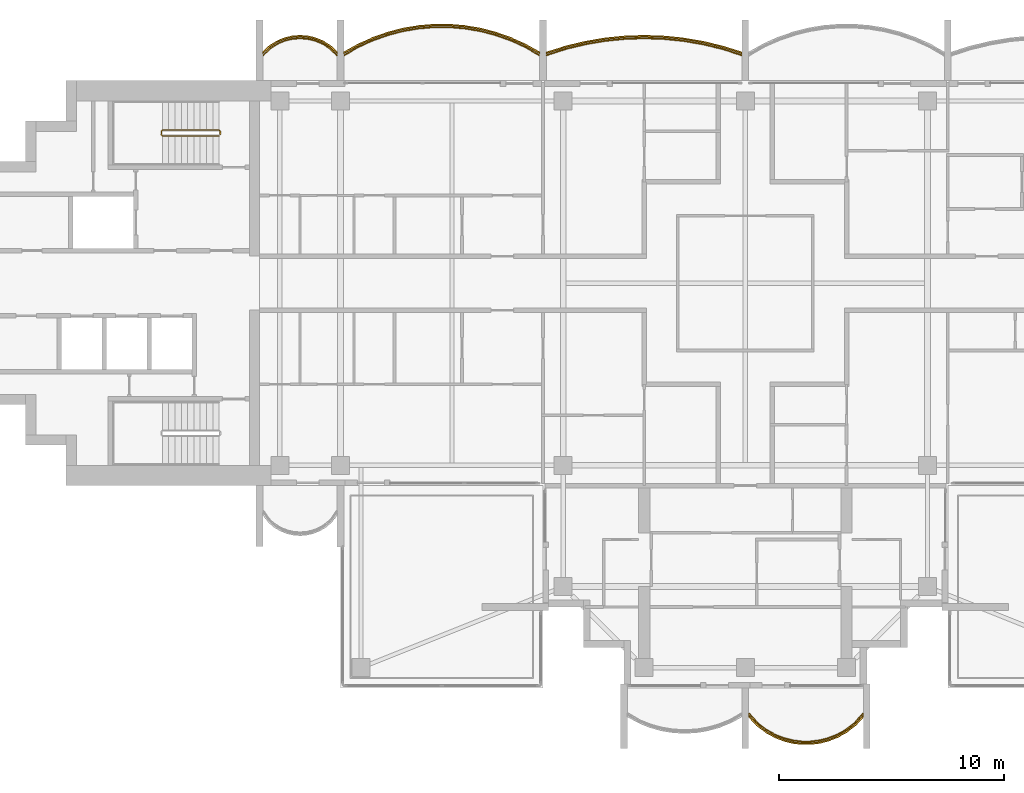
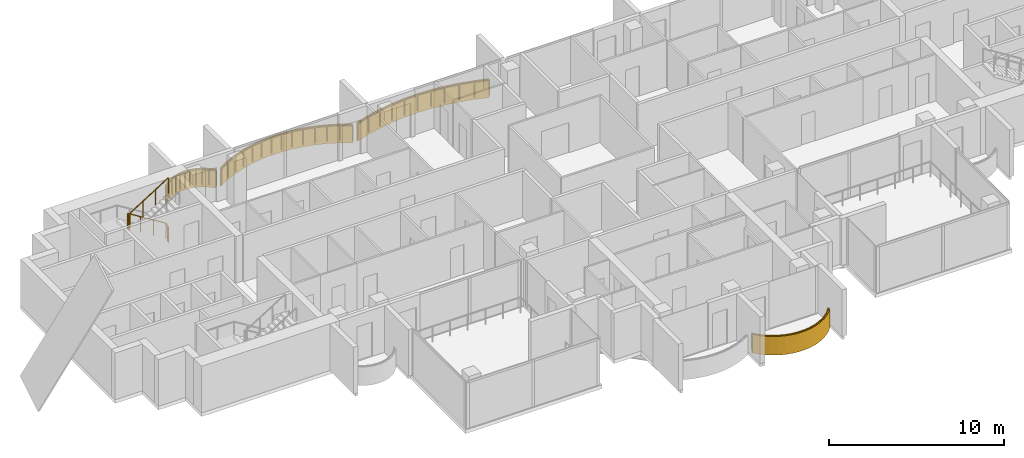
# One storey, part 15 of 17: 5 railings, 4 coverings.
"""IFC4 building model written with IfcOpenShell, lengths in metres."""

from ifc_helpers import new_model, si_unit, direction, frame, origin, origin_2d, place, context, subcontext, project, spatial, polyline, rectangle, outline, extrude, material, layer, layer_set, type_object, element, save


model = new_model("IFC4")

# Units and contexts
model_context = context("Model", 3, precision=1e-05, world=origin(), true_north=direction((0.0, 1.0)))
body_context = subcontext(model_context, "Body", "Model", "MODEL_VIEW")
ifc_project = project(units=[si_unit("LENGTHUNIT", "METRE"), si_unit("AREAUNIT", "SQUARE_METRE"), si_unit("VOLUMEUNIT", "CUBIC_METRE"), si_unit("PLANEANGLEUNIT", "RADIAN"), si_unit("MASSUNIT", "GRAM", prefix="KILO")], contexts=[model_context])

# Site, building, storey
site_placement = place(None, origin())
site = spatial("IfcSite", under=ifc_project, at=site_placement, CompositionType="ELEMENT")
building_placement = place(site_placement, origin())
building = spatial("IfcBuilding", under=site, at=building_placement, Name="Perihelion Cross Residences", CompositionType="ELEMENT")
storey_placement = place(building_placement, frame((0.0, 0.0, 278.0)))
storey = spatial("IfcBuildingStorey", under=building, at=storey_placement, Name="L71", CompositionType="ELEMENT", Elevation=278.0)

# Coverings
ifc_material_1 = material(Name="Bronze anodised aluminium", Category="aluminium")
ifc_layer = layer(ifc_material_1, 0.070068359375)
ifc_layer_set = layer_set([ifc_layer], Name="Balcony fascia 1300")
covering_type = type_object("IfcCoveringType", Name="Balcony fascia 1300", PredefinedType="CLADDING", material=ifc_layer_set)
covering_1_placement = place(storey_placement, frame((0.0, 0.0, -0.199951171875)))
element("IfcCovering", 1, at=covering_1_placement, inside=storey, type_object=covering_type, Name="Fascia BF1 L71 north side east bay 2", PredefinedType="CLADDING", context=body_context, shape_type="SweptSolid", body=[
    extrude(outline(polyline([(-1.001220703125, 10.542724609375), (-1.8759765625, 10.753662109375), (-2.750732421875, 10.90234375), (-3.625244140625, 10.99072265625), (-4.5, 11.02001953125), (-5.374755859375, 10.99072265625), (-6.249267578125, 10.90234375), (-7.1240234375, 10.753662109375), (-7.998779296875, 10.542724609375), (-8.85009765625, 10.2734375), (-8.85009765625, 10.199951171875), (-7.97998046875, 10.47509765625), (-7.110107421875, 10.68505859375), (-6.239990234375, 10.8330078125), (-5.3701171875, 10.9208984375), (-4.5, 10.949951171875), (-3.6298828125, 10.9208984375), (-2.760009765625, 10.8330078125), (-1.889892578125, 10.68505859375), (-1.02001953125, 10.47509765625), (-0.14990234375, 10.199951171875), (-0.14990234375, 10.2734375), (-1.001220703125, 10.542724609375)])), origin(), (0.0, 0.0, 1.0), 1.300048828125),
])
covering_2_placement = place(storey_placement, frame((0.0, 0.0, -0.199951171875)))
element("IfcCovering", 2, at=covering_2_placement, inside=storey, type_object=covering_type, Name="Fascia BF1 L71 west side north bay 1", PredefinedType="CLADDING", context=body_context, shape_type="SweptSolid", body=[
    extrude(outline(polyline([(-9.787841796875, 10.63916015625), (-10.462646484375, 10.941650390625), (-11.1376953125, 11.175048828125), (-11.8125, 11.345947265625), (-12.487548828125, 11.457763671875), (-13.16259765625, 11.51318359375), (-13.83740234375, 11.51318359375), (-14.512451171875, 11.457763671875), (-15.1875, 11.345947265625), (-15.8623046875, 11.175048828125), (-16.537353515625, 10.941650390625), (-17.212158203125, 10.63916015625), (-17.85009765625, 10.2802734375), (-17.85009765625, 10.199951171875), (-17.1806640625, 10.57666015625), (-16.511474609375, 10.87646484375), (-15.84228515625, 11.108154296875), (-15.173095703125, 11.27734375), (-14.50390625, 11.38818359375), (-13.834716796875, 11.443115234375), (-13.165283203125, 11.443115234375), (-12.49609375, 11.38818359375), (-11.826904296875, 11.27734375), (-11.15771484375, 11.108154296875), (-10.488525390625, 10.87646484375), (-9.8193359375, 10.57666015625), (-9.14990234375, 10.199951171875), (-9.14990234375, 10.2802734375), (-9.787841796875, 10.63916015625)])), origin(), (0.0, 0.0, 1.0), 1.300048828125),
])
covering_3_placement = place(storey_placement, frame((0.0, 0.0, -0.199951171875)))
element("IfcCovering", 3, at=covering_3_placement, inside=storey, type_object=covering_type, Name="Fascia BF1 L71 west side north bay 2", PredefinedType="CLADDING", context=body_context, shape_type="SweptSolid", body=[
    extrude(outline(polyline([(-18.4375, 10.56298828125), (-18.778076171875, 10.77587890625), (-19.11865234375, 10.914794921875), (-19.45947265625, 10.994140625), (-19.800048828125, 11.02001953125), (-20.140625, 10.994140625), (-20.481201171875, 10.914794921875), (-20.82177734375, 10.77587890625), (-21.16259765625, 10.56298828125), (-21.449951171875, 10.295654296875), (-21.449951171875, 10.199951171875), (-21.1201171875, 10.507568359375), (-20.7900390625, 10.71337890625), (-20.4599609375, 10.84814453125), (-20.1298828125, 10.925048828125), (-19.800048828125, 10.949951171875), (-19.469970703125, 10.925048828125), (-19.139892578125, 10.84814453125), (-18.81005859375, 10.71337890625), (-18.47998046875, 10.507568359375), (-18.14990234375, 10.199951171875), (-18.14990234375, 10.295654296875), (-18.4375, 10.56298828125)])), origin(), (0.0, 0.0, 1.0), 1.300048828125),
])
covering_4_placement = place(storey_placement, frame((0.0, 0.0, -0.199951171875)))
element("IfcCovering", 4, at=covering_4_placement, inside=storey, type_object=covering_type, Name="Fascia BF1 L71 south tip south bay 2", PredefinedType="CLADDING", context=body_context, shape_type="SweptSolid", body=[
    extrude(outline(polyline([(0.4951171875, -19.674072265625), (0.89599609375, -19.982666015625), (1.296875, -20.20654296875), (1.69775390625, -20.364013671875), (2.0986328125, -20.464599609375), (2.49951171875, -20.513916015625), (2.900390625, -20.513916015625), (3.30126953125, -20.464599609375), (3.7021484375, -20.364013671875), (4.10302734375, -20.20654296875), (4.50390625, -19.982666015625), (4.90478515625, -19.674072265625), (5.25, -19.302734375), (5.25, -19.199951171875), (4.857666015625, -19.622314453125), (4.46533203125, -19.924072265625), (4.072998046875, -20.143310546875), (3.6806640625, -20.29736328125), (3.28857421875, -20.39599609375), (2.896240234375, -20.444091796875), (2.50390625, -20.444091796875), (2.111572265625, -20.39599609375), (1.71923828125, -20.29736328125), (1.326904296875, -20.143310546875), (0.9345703125, -19.924072265625), (0.542236328125, -19.622314453125), (0.14990234375, -19.199951171875), (0.14990234375, -19.302734375), (0.4951171875, -19.674072265625)])), origin(), (0.0, 0.0, 1.0), 1.300048828125),
])

# Railings
ifc_material_2 = material(Name="Bronze anodised aluminium", Category="aluminium")
railing_type_1 = type_object("IfcRailingType", Name="Balcony guard 1100", PredefinedType="GUARDRAIL", material=ifc_material_2)
railing_1_placement = place(storey_placement, frame((-0.175048828125, 10.139892578125, 0.0)))
element("IfcRailing", 5, at=railing_1_placement, inside=storey, type_object=railing_type_1, Name="Guard GU1 L71 north side east bay 2 balcony", PredefinedType="GUARDRAIL", context=body_context, shape_type="SweptSolid", body=[
    extrude(rectangle(XDim=0.048095703125, YDim=0.048095703125, at=origin_2d()), frame((0.0, 0.0, 1.076171875), z_axis=(-0.950777354264, 0.30987484993, 0.0), x_axis=(-0.30987484993, -0.950777354264, 0.0)), (0.0, 0.0, 1.0), 0.888671875),
    extrude(rectangle(XDim=0.048095703125, YDim=0.048095703125, at=origin_2d()), frame((-0.844970703125, 0.275390625, 1.076171875), z_axis=(-0.972146551129, 0.234373810671, 0.0), x_axis=(-0.234373810671, -0.972146551129, 0.0)), (0.0, 0.0, 1.0), 0.894775390625),
    extrude(rectangle(XDim=0.048095703125, YDim=0.048095703125, at=origin_2d()), frame((-1.71484375, 0.485107421875, 1.076171875), z_axis=(-0.985850361727, 0.167627755108, 0.0), x_axis=(-0.167627755108, -0.985850361727, 0.0)), (0.0, 0.0, 1.0), 0.882568359375),
    extrude(rectangle(XDim=0.048095703125, YDim=0.048095703125, at=origin_2d()), frame((-2.5849609375, 0.633056640625, 1.076171875), z_axis=(-0.994934368303, 0.100526627165, 0.0), x_axis=(-0.100526627165, -0.994934368303, 0.0)), (0.0, 0.0, 1.0), 0.874267578125),
    extrude(rectangle(XDim=0.048095703125, YDim=0.048095703125, at=origin_2d()), frame((-3.454833984375, 0.720947265625, 1.076171875), z_axis=(-0.999443037968, 0.0333708534, 0.0), x_axis=(-0.0333708534, -0.999443037968, 0.0)), (0.0, 0.0, 1.0), 0.87060546875),
    extrude(rectangle(XDim=0.048095703125, YDim=0.048095703125, at=origin_2d()), frame((-4.324951171875, 0.75, 1.076171875), z_axis=(-0.999443037968, -0.0333708534, 0.0), x_axis=(0.0333708534, -0.999443037968, 0.0)), (0.0, 0.0, 1.0), 0.87060546875),
    extrude(rectangle(XDim=0.048095703125, YDim=0.048095703125, at=origin_2d()), frame((-5.195068359375, 0.720947265625, 1.076171875), z_axis=(-0.994934368303, -0.100526627165, 0.0), x_axis=(0.100526627165, -0.994934368303, 0.0)), (0.0, 0.0, 1.0), 0.874267578125),
    extrude(rectangle(XDim=0.048095703125, YDim=0.048095703125, at=origin_2d()), frame((-6.06494140625, 0.633056640625, 1.076171875), z_axis=(-0.985850361727, -0.167627755108, 0.0), x_axis=(0.167627755108, -0.985850361727, 0.0)), (0.0, 0.0, 1.0), 0.882568359375),
    extrude(rectangle(XDim=0.048095703125, YDim=0.048095703125, at=origin_2d()), frame((-6.93505859375, 0.485107421875, 1.076171875), z_axis=(-0.972146551129, -0.234373810671, 0.0), x_axis=(0.234373810671, -0.972146551129, 0.0)), (0.0, 0.0, 1.0), 0.894775390625),
    extrude(rectangle(XDim=0.048095703125, YDim=0.048095703125, at=origin_2d()), frame((-7.804931640625, 0.275390625, 1.076171875), z_axis=(-0.950777354264, -0.30987484993, 0.0), x_axis=(0.30987484993, -0.950777354264, 0.0)), (0.0, 0.0, 1.0), 0.888671875),
    extrude(rectangle(XDim=0.0419921875, YDim=0.0419921875, at=origin_2d()), origin(), (0.0, 0.0, 1.0), 1.052001953125),
    extrude(rectangle(XDim=0.0419921875, YDim=0.0419921875, at=origin_2d()), frame((-0.844970703125, 0.275390625, 0.0)), (0.0, 0.0, 1.0), 1.052001953125),
    extrude(rectangle(XDim=0.0419921875, YDim=0.0419921875, at=origin_2d()), frame((-1.71484375, 0.485107421875, 0.0)), (0.0, 0.0, 1.0), 1.052001953125),
    extrude(rectangle(XDim=0.0419921875, YDim=0.0419921875, at=origin_2d()), frame((-2.5849609375, 0.633056640625, 0.0)), (0.0, 0.0, 1.0), 1.052001953125),
    extrude(rectangle(XDim=0.0419921875, YDim=0.0419921875, at=origin_2d()), frame((-3.454833984375, 0.720947265625, 0.0)), (0.0, 0.0, 1.0), 1.052001953125),
    extrude(rectangle(XDim=0.0419921875, YDim=0.0419921875, at=origin_2d()), frame((-4.324951171875, 0.75, 0.0)), (0.0, 0.0, 1.0), 1.052001953125),
    extrude(rectangle(XDim=0.0419921875, YDim=0.0419921875, at=origin_2d()), frame((-5.195068359375, 0.720947265625, 0.0)), (0.0, 0.0, 1.0), 1.052001953125),
    extrude(rectangle(XDim=0.0419921875, YDim=0.0419921875, at=origin_2d()), frame((-6.06494140625, 0.633056640625, 0.0)), (0.0, 0.0, 1.0), 1.052001953125),
    extrude(rectangle(XDim=0.0419921875, YDim=0.0419921875, at=origin_2d()), frame((-6.93505859375, 0.485107421875, 0.0)), (0.0, 0.0, 1.0), 1.052001953125),
    extrude(rectangle(XDim=0.0419921875, YDim=0.0419921875, at=origin_2d()), frame((-7.804931640625, 0.275390625, 0.0)), (0.0, 0.0, 1.0), 1.052001953125),
    extrude(rectangle(XDim=0.0419921875, YDim=0.0419921875, at=origin_2d()), frame((-8.64990234375, 0.0, 0.0)), (0.0, 0.0, 1.0), 1.052001953125),
])
railing_2_placement = place(storey_placement, frame((-9.175048828125, 10.139892578125, 0.0)))
element("IfcRailing", 6, at=railing_2_placement, inside=storey, type_object=railing_type_1, Name="Guard GU1 L71 west side north bay 1 balcony", PredefinedType="GUARDRAIL", context=body_context, shape_type="SweptSolid", body=[
    extrude(rectangle(XDim=0.048095703125, YDim=0.048095703125, at=origin_2d()), frame((0.0, 0.0, 1.076171875), z_axis=(-0.863125740505, 0.504989065305, 0.0), x_axis=(-0.504989065305, -0.863125740505, 0.0)), (0.0, 0.0, 1.0), 0.746337890625),
    extrude(rectangle(XDim=0.048095703125, YDim=0.048095703125, at=origin_2d()), frame((-0.644287109375, 0.376953125, 1.076171875), z_axis=(-0.912723499295, 0.408577794103, 0.0), x_axis=(-0.408577794103, -0.912723499295, 0.0)), (0.0, 0.0, 1.0), 0.733154296875),
    extrude(rectangle(XDim=0.048095703125, YDim=0.048095703125, at=origin_2d()), frame((-1.3134765625, 0.676513671875, 1.076171875), z_axis=(-0.944965577734, 0.327169767701, 0.0), x_axis=(-0.327169767701, -0.944965577734, 0.0)), (0.0, 0.0, 1.0), 0.708251953125),
    extrude(rectangle(XDim=0.048095703125, YDim=0.048095703125, at=origin_2d()), frame((-1.982666015625, 0.908203125, 1.076171875), z_axis=(-0.96949408574, 0.245114703181, 0.0), x_axis=(-0.245114703181, -0.96949408574, 0.0)), (0.0, 0.0, 1.0), 0.690185546875),
    extrude(rectangle(XDim=0.048095703125, YDim=0.048095703125, at=origin_2d()), frame((-2.65185546875, 1.077392578125, 1.076171875), z_axis=(-0.986500713816, 0.163756959061, 0.0), x_axis=(-0.163756959061, -0.986500713816, 0.0)), (0.0, 0.0, 1.0), 0.678466796875),
    extrude(rectangle(XDim=0.048095703125, YDim=0.048095703125, at=origin_2d()), frame((-3.321044921875, 1.1884765625, 1.076171875), z_axis=(-0.996677390684, 0.081450468994, 0.0), x_axis=(-0.081450468994, -0.996677390684, 0.0)), (0.0, 0.0, 1.0), 0.67138671875),
    extrude(rectangle(XDim=0.048095703125, YDim=0.048095703125, at=origin_2d()), frame((-3.990234375, 1.2431640625, 1.076171875), z_axis=(-1.0, 0.0, 0.0), x_axis=(0.0, -1.0, 0.0)), (0.0, 0.0, 1.0), 0.66943359375),
    extrude(rectangle(XDim=0.048095703125, YDim=0.048095703125, at=origin_2d()), frame((-4.65966796875, 1.2431640625, 1.076171875), z_axis=(-0.996677390684, -0.081450468994, 0.0), x_axis=(0.081450468994, -0.996677390684, 0.0)), (0.0, 0.0, 1.0), 0.67138671875),
    extrude(rectangle(XDim=0.048095703125, YDim=0.048095703125, at=origin_2d()), frame((-5.328857421875, 1.1884765625, 1.076171875), z_axis=(-0.986500713816, -0.163756959061, 0.0), x_axis=(0.163756959061, -0.986500713816, 0.0)), (0.0, 0.0, 1.0), 0.678466796875),
    extrude(rectangle(XDim=0.048095703125, YDim=0.048095703125, at=origin_2d()), frame((-5.998046875, 1.077392578125, 1.076171875), z_axis=(-0.96949408574, -0.245114703181, 0.0), x_axis=(0.245114703181, -0.96949408574, 0.0)), (0.0, 0.0, 1.0), 0.690185546875),
    extrude(rectangle(XDim=0.048095703125, YDim=0.048095703125, at=origin_2d()), frame((-6.667236328125, 0.908203125, 1.076171875), z_axis=(-0.944965577734, -0.327169767701, 0.0), x_axis=(0.327169767701, -0.944965577734, 0.0)), (0.0, 0.0, 1.0), 0.708251953125),
    extrude(rectangle(XDim=0.048095703125, YDim=0.048095703125, at=origin_2d()), frame((-7.33642578125, 0.676513671875, 1.076171875), z_axis=(-0.912723499295, -0.408577794103, 0.0), x_axis=(0.408577794103, -0.912723499295, 0.0)), (0.0, 0.0, 1.0), 0.733154296875),
    extrude(rectangle(XDim=0.048095703125, YDim=0.048095703125, at=origin_2d()), frame((-8.005615234375, 0.376953125, 1.076171875), z_axis=(-0.863125740505, -0.504989065305, 0.0), x_axis=(0.504989065305, -0.863125740505, 0.0)), (0.0, 0.0, 1.0), 0.746337890625),
    extrude(rectangle(XDim=0.0419921875, YDim=0.0419921875, at=origin_2d()), origin(), (0.0, 0.0, 1.0), 1.052001953125),
    extrude(rectangle(XDim=0.0419921875, YDim=0.0419921875, at=origin_2d()), frame((-0.644287109375, 0.376953125, 0.0)), (0.0, 0.0, 1.0), 1.052001953125),
    extrude(rectangle(XDim=0.0419921875, YDim=0.0419921875, at=origin_2d()), frame((-1.3134765625, 0.676513671875, 0.0)), (0.0, 0.0, 1.0), 1.052001953125),
    extrude(rectangle(XDim=0.0419921875, YDim=0.0419921875, at=origin_2d()), frame((-1.982666015625, 0.908203125, 0.0)), (0.0, 0.0, 1.0), 1.052001953125),
    extrude(rectangle(XDim=0.0419921875, YDim=0.0419921875, at=origin_2d()), frame((-2.65185546875, 1.077392578125, 0.0)), (0.0, 0.0, 1.0), 1.052001953125),
    extrude(rectangle(XDim=0.0419921875, YDim=0.0419921875, at=origin_2d()), frame((-3.321044921875, 1.1884765625, 0.0)), (0.0, 0.0, 1.0), 1.052001953125),
    extrude(rectangle(XDim=0.0419921875, YDim=0.0419921875, at=origin_2d()), frame((-3.990234375, 1.2431640625, 0.0)), (0.0, 0.0, 1.0), 1.052001953125),
    extrude(rectangle(XDim=0.0419921875, YDim=0.0419921875, at=origin_2d()), frame((-4.65966796875, 1.2431640625, 0.0)), (0.0, 0.0, 1.0), 1.052001953125),
    extrude(rectangle(XDim=0.0419921875, YDim=0.0419921875, at=origin_2d()), frame((-5.328857421875, 1.1884765625, 0.0)), (0.0, 0.0, 1.0), 1.052001953125),
    extrude(rectangle(XDim=0.0419921875, YDim=0.0419921875, at=origin_2d()), frame((-5.998046875, 1.077392578125, 0.0)), (0.0, 0.0, 1.0), 1.052001953125),
    extrude(rectangle(XDim=0.0419921875, YDim=0.0419921875, at=origin_2d()), frame((-6.667236328125, 0.908203125, 0.0)), (0.0, 0.0, 1.0), 1.052001953125),
    extrude(rectangle(XDim=0.0419921875, YDim=0.0419921875, at=origin_2d()), frame((-7.33642578125, 0.676513671875, 0.0)), (0.0, 0.0, 1.0), 1.052001953125),
    extrude(rectangle(XDim=0.0419921875, YDim=0.0419921875, at=origin_2d()), frame((-8.005615234375, 0.376953125, 0.0)), (0.0, 0.0, 1.0), 1.052001953125),
    extrude(rectangle(XDim=0.0419921875, YDim=0.0419921875, at=origin_2d()), frame((-8.64990234375, 0.0, 0.0)), (0.0, 0.0, 1.0), 1.052001953125),
])
railing_3_placement = place(storey_placement, frame((-18.175048828125, 10.139892578125, 0.0)))
element("IfcRailing", 7, at=railing_3_placement, inside=storey, type_object=railing_type_1, Name="Guard GU1 L71 west side north bay 2 balcony", PredefinedType="GUARDRAIL", context=body_context, shape_type="SweptSolid", body=[
    extrude(rectangle(XDim=0.048095703125, YDim=0.048095703125, at=origin_2d()), frame((0.0, 0.0, 1.076171875), z_axis=(-0.703999905859, 0.710200065158, 0.0), x_axis=(-0.710200065158, -0.703999905859, 0.0)), (0.0, 0.0, 1.0), 0.43310546875),
    extrude(rectangle(XDim=0.048095703125, YDim=0.048095703125, at=origin_2d()), frame((-0.304931640625, 0.3076171875, 1.076171875), z_axis=(-0.848280173265, 0.529547682127, 0.0), x_axis=(-0.529547682127, -0.848280173265, 0.0)), (0.0, 0.0, 1.0), 0.38916015625),
    extrude(rectangle(XDim=0.048095703125, YDim=0.048095703125, at=origin_2d()), frame((-0.635009765625, 0.513671875, 1.076171875), z_axis=(-0.925950379976, 0.377645195682, 0.0), x_axis=(-0.377645195682, -0.925950379976, 0.0)), (0.0, 0.0, 1.0), 0.356201171875),
    extrude(rectangle(XDim=0.048095703125, YDim=0.048095703125, at=origin_2d()), frame((-0.96484375, 0.648193359375, 1.076171875), z_axis=(-0.97391554583, 0.226910796551, 0.0), x_axis=(-0.226910796551, -0.97391554583, 0.0)), (0.0, 0.0, 1.0), 0.3388671875),
    extrude(rectangle(XDim=0.048095703125, YDim=0.048095703125, at=origin_2d()), frame((-1.294921875, 0.72509765625, 1.076171875), z_axis=(-0.997166208737, 0.075229995038, 0.0), x_axis=(-0.075229995038, -0.997166208737, 0.0)), (0.0, 0.0, 1.0), 0.3310546875),
    extrude(rectangle(XDim=0.048095703125, YDim=0.048095703125, at=origin_2d()), frame((-1.625, 0.75, 1.076171875), z_axis=(-0.997162029931, -0.075285364214, 0.0), x_axis=(0.075285364214, -0.997162029931, 0.0)), (0.0, 0.0, 1.0), 0.330810546875),
    extrude(rectangle(XDim=0.048095703125, YDim=0.048095703125, at=origin_2d()), frame((-1.954833984375, 0.72509765625, 1.076171875), z_axis=(-0.97391554583, -0.226910796551, 0.0), x_axis=(0.226910796551, -0.97391554583, 0.0)), (0.0, 0.0, 1.0), 0.3388671875),
    extrude(rectangle(XDim=0.048095703125, YDim=0.048095703125, at=origin_2d()), frame((-2.284912109375, 0.648193359375, 1.076171875), z_axis=(-0.926048033295, -0.377405670374, 0.0), x_axis=(0.377405670374, -0.926048033295, 0.0)), (0.0, 0.0, 1.0), 0.3564453125),
    extrude(rectangle(XDim=0.048095703125, YDim=0.048095703125, at=origin_2d()), frame((-2.614990234375, 0.513671875, 1.076171875), z_axis=(-0.848280173265, -0.529547682127, 0.0), x_axis=(0.529547682127, -0.848280173265, 0.0)), (0.0, 0.0, 1.0), 0.38916015625),
    extrude(rectangle(XDim=0.048095703125, YDim=0.048095703125, at=origin_2d()), frame((-2.945068359375, 0.3076171875, 1.076171875), z_axis=(-0.703999905859, -0.710200065158, 0.0), x_axis=(0.710200065158, -0.703999905859, 0.0)), (0.0, 0.0, 1.0), 0.43310546875),
    extrude(rectangle(XDim=0.0419921875, YDim=0.0419921875, at=origin_2d()), origin(), (0.0, 0.0, 1.0), 1.052001953125),
    extrude(rectangle(XDim=0.0419921875, YDim=0.0419921875, at=origin_2d()), frame((-0.304931640625, 0.3076171875, 0.0)), (0.0, 0.0, 1.0), 1.052001953125),
    extrude(rectangle(XDim=0.0419921875, YDim=0.0419921875, at=origin_2d()), frame((-0.635009765625, 0.513671875, 0.0)), (0.0, 0.0, 1.0), 1.052001953125),
    extrude(rectangle(XDim=0.0419921875, YDim=0.0419921875, at=origin_2d()), frame((-0.96484375, 0.648193359375, 0.0)), (0.0, 0.0, 1.0), 1.052001953125),
    extrude(rectangle(XDim=0.0419921875, YDim=0.0419921875, at=origin_2d()), frame((-1.294921875, 0.72509765625, 0.0)), (0.0, 0.0, 1.0), 1.052001953125),
    extrude(rectangle(XDim=0.0419921875, YDim=0.0419921875, at=origin_2d()), frame((-1.625, 0.75, 0.0)), (0.0, 0.0, 1.0), 1.052001953125),
    extrude(rectangle(XDim=0.0419921875, YDim=0.0419921875, at=origin_2d()), frame((-1.954833984375, 0.72509765625, 0.0)), (0.0, 0.0, 1.0), 1.052001953125),
    extrude(rectangle(XDim=0.0419921875, YDim=0.0419921875, at=origin_2d()), frame((-2.284912109375, 0.648193359375, 0.0)), (0.0, 0.0, 1.0), 1.052001953125),
    extrude(rectangle(XDim=0.0419921875, YDim=0.0419921875, at=origin_2d()), frame((-2.614990234375, 0.513671875, 0.0)), (0.0, 0.0, 1.0), 1.052001953125),
    extrude(rectangle(XDim=0.0419921875, YDim=0.0419921875, at=origin_2d()), frame((-2.945068359375, 0.3076171875, 0.0)), (0.0, 0.0, 1.0), 1.052001953125),
    extrude(rectangle(XDim=0.0419921875, YDim=0.0419921875, at=origin_2d()), frame((-3.25, 0.0, 0.0)), (0.0, 0.0, 1.0), 1.052001953125),
])
railing_4_placement = place(storey_placement, frame((0.175048828125, -19.139892578125, 0.0)))
element("IfcRailing", 8, at=railing_4_placement, inside=storey, type_object=railing_type_1, Name="Guard GU1 L71 south tip south bay 2 balcony", PredefinedType="GUARDRAIL", context=body_context, shape_type="SweptSolid", body=[
    extrude(rectangle(XDim=0.048095703125, YDim=0.048095703125, at=origin_2d()), frame((0.0, 0.0, 1.076171875), z_axis=(0.656092309534, -0.754680648599, 0.0), x_axis=(0.754680648599, 0.656092309534, 0.0)), (0.0, 0.0, 1.0), 0.5595703125),
    extrude(rectangle(XDim=0.048095703125, YDim=0.048095703125, at=origin_2d()), frame((0.3671875, -0.42236328125, 1.076171875), z_axis=(0.792660660899, -0.60966308455, 0.0), x_axis=(0.60966308455, 0.792660660899, 0.0)), (0.0, 0.0, 1.0), 0.494873046875),
    extrude(rectangle(XDim=0.048095703125, YDim=0.048095703125, at=origin_2d()), frame((0.759521484375, -0.72412109375, 1.076171875), z_axis=(0.872950285698, -0.487809182674, 0.0), x_axis=(0.487809182674, 0.872950285698, 0.0)), (0.0, 0.0, 1.0), 0.449462890625),
    extrude(rectangle(XDim=0.048095703125, YDim=0.048095703125, at=origin_2d()), frame((1.15185546875, -0.943359375, 1.076171875), z_axis=(0.930814842219, -0.365491079925, 0.0), x_axis=(0.365491079925, 0.930814842219, 0.0)), (0.0, 0.0, 1.0), 0.42138671875),
    extrude(rectangle(XDim=0.048095703125, YDim=0.048095703125, at=origin_2d()), frame((1.544189453125, -1.097412109375, 1.076171875), z_axis=(0.969822159145, -0.243813411509, 0.0), x_axis=(0.243813411509, 0.969822159145, 0.0)), (0.0, 0.0, 1.0), 0.404541015625),
    extrude(rectangle(XDim=0.048095703125, YDim=0.048095703125, at=origin_2d()), frame((1.9365234375, -1.196044921875, 1.076171875), z_axis=(0.992569651699, -0.121677797999, 0.0), x_axis=(0.121677797999, 0.992569651699, 0.0)), (0.0, 0.0, 1.0), 0.395263671875),
    extrude(rectangle(XDim=0.048095703125, YDim=0.048095703125, at=origin_2d()), frame((2.328857421875, -1.244140625, 1.076171875), z_axis=(1.0, 0.0, 0.0), x_axis=(0.0, 1.0, 0.0)), (0.0, 0.0, 1.0), 0.392333984375),
    extrude(rectangle(XDim=0.048095703125, YDim=0.048095703125, at=origin_2d()), frame((2.72119140625, -1.244140625, 1.076171875), z_axis=(0.992569651699, 0.121677797999, 0.0), x_axis=(-0.121677797999, 0.992569651699, 0.0)), (0.0, 0.0, 1.0), 0.395263671875),
    extrude(rectangle(XDim=0.048095703125, YDim=0.048095703125, at=origin_2d()), frame((3.113525390625, -1.196044921875, 1.076171875), z_axis=(0.969786252666, 0.243956193074, 0.0), x_axis=(-0.243956193074, 0.969786252666, 0.0)), (0.0, 0.0, 1.0), 0.404296875),
    extrude(rectangle(XDim=0.048095703125, YDim=0.048095703125, at=origin_2d()), frame((3.505615234375, -1.097412109375, 1.076171875), z_axis=(0.930814842219, 0.365491079925, 0.0), x_axis=(-0.365491079925, 0.930814842219, 0.0)), (0.0, 0.0, 1.0), 0.42138671875),
    extrude(rectangle(XDim=0.048095703125, YDim=0.048095703125, at=origin_2d()), frame((3.89794921875, -0.943359375, 1.076171875), z_axis=(0.872950285698, 0.487809182674, 0.0), x_axis=(-0.487809182674, 0.872950285698, 0.0)), (0.0, 0.0, 1.0), 0.449462890625),
    extrude(rectangle(XDim=0.048095703125, YDim=0.048095703125, at=origin_2d()), frame((4.290283203125, -0.72412109375, 1.076171875), z_axis=(0.792660660899, 0.60966308455, 0.0), x_axis=(-0.60966308455, 0.792660660899, 0.0)), (0.0, 0.0, 1.0), 0.494873046875),
    extrude(rectangle(XDim=0.048095703125, YDim=0.048095703125, at=origin_2d()), frame((4.6826171875, -0.42236328125, 1.076171875), z_axis=(0.656340655493, 0.754464673757, 0.0), x_axis=(-0.754464673757, 0.656340655493, 0.0)), (0.0, 0.0, 1.0), 0.559814453125),
    extrude(rectangle(XDim=0.0419921875, YDim=0.0419921875, at=origin_2d()), origin(), (0.0, 0.0, 1.0), 1.052001953125),
    extrude(rectangle(XDim=0.0419921875, YDim=0.0419921875, at=origin_2d()), frame((0.3671875, -0.42236328125, 0.0)), (0.0, 0.0, 1.0), 1.052001953125),
    extrude(rectangle(XDim=0.0419921875, YDim=0.0419921875, at=origin_2d()), frame((0.759521484375, -0.72412109375, 0.0)), (0.0, 0.0, 1.0), 1.052001953125),
    extrude(rectangle(XDim=0.0419921875, YDim=0.0419921875, at=origin_2d()), frame((1.15185546875, -0.943359375, 0.0)), (0.0, 0.0, 1.0), 1.052001953125),
    extrude(rectangle(XDim=0.0419921875, YDim=0.0419921875, at=origin_2d()), frame((1.544189453125, -1.097412109375, 0.0)), (0.0, 0.0, 1.0), 1.052001953125),
    extrude(rectangle(XDim=0.0419921875, YDim=0.0419921875, at=origin_2d()), frame((1.9365234375, -1.196044921875, 0.0)), (0.0, 0.0, 1.0), 1.052001953125),
    extrude(rectangle(XDim=0.0419921875, YDim=0.0419921875, at=origin_2d()), frame((2.328857421875, -1.244140625, 0.0)), (0.0, 0.0, 1.0), 1.052001953125),
    extrude(rectangle(XDim=0.0419921875, YDim=0.0419921875, at=origin_2d()), frame((2.72119140625, -1.244140625, 0.0)), (0.0, 0.0, 1.0), 1.052001953125),
    extrude(rectangle(XDim=0.0419921875, YDim=0.0419921875, at=origin_2d()), frame((3.113525390625, -1.196044921875, 0.0)), (0.0, 0.0, 1.0), 1.052001953125),
    extrude(rectangle(XDim=0.0419921875, YDim=0.0419921875, at=origin_2d()), frame((3.505615234375, -1.097412109375, 0.0)), (0.0, 0.0, 1.0), 1.052001953125),
    extrude(rectangle(XDim=0.0419921875, YDim=0.0419921875, at=origin_2d()), frame((3.89794921875, -0.943359375, 0.0)), (0.0, 0.0, 1.0), 1.052001953125),
    extrude(rectangle(XDim=0.0419921875, YDim=0.0419921875, at=origin_2d()), frame((4.290283203125, -0.72412109375, 0.0)), (0.0, 0.0, 1.0), 1.052001953125),
    extrude(rectangle(XDim=0.0419921875, YDim=0.0419921875, at=origin_2d()), frame((4.6826171875, -0.42236328125, 0.0)), (0.0, 0.0, 1.0), 1.052001953125),
    extrude(rectangle(XDim=0.0419921875, YDim=0.0419921875, at=origin_2d()), frame((5.050048828125, 0.0, 0.0)), (0.0, 0.0, 1.0), 1.052001953125),
])
ifc_material_3 = material(Name="Stainless steel", Category="steel")
railing_type_2 = type_object("IfcRailingType", Name="Stair guard 1100", PredefinedType="GUARDRAIL", material=ifc_material_3)
railing_5_placement = place(storey_placement, frame((-23.35009765625, 6.60009765625, 0.0)))
element("IfcRailing", 9, at=railing_5_placement, inside=storey, type_object=railing_type_2, Name="L71 ST-W1 stair guard 1", PredefinedType="GUARDRAIL", context=body_context, shape_type="SweptSolid", body=[
    extrude(rectangle(XDim=0.048095703125, YDim=0.048095703125, at=origin_2d()), frame((0.0, 0.0, 1.076171875), z_axis=(0.0, 1.0, 0.0), x_axis=(-1.0, 0.0, 0.0)), (0.0, 0.0, 1.0), 0.14990234375),
    extrude(rectangle(XDim=0.048095703125, YDim=0.048095703125, at=origin_2d()), frame((0.0, 0.14990234375, 1.076171875), z_axis=(-0.263862480399, 0.265155923931, 0.927399011991), x_axis=(-0.708833529934, -0.705375805398, 0.0)), (0.0, 0.0, 1.0), 0.188720703125),
    extrude(rectangle(XDim=0.048095703125, YDim=0.048095703125, at=origin_2d()), frame((-0.0498046875, 0.199951171875, 1.2509765625), z_axis=(-0.848007534815, 0.0, 0.529984170421), x_axis=(0.0, -1.0, 0.0)), (0.0, 0.0, 1.0), 2.9716796875),
    extrude(rectangle(XDim=0.048095703125, YDim=0.048095703125, at=origin_2d()), frame((-2.56982421875, 0.199951171875, 2.826171875), z_axis=(-0.707106781187, -0.707106781187, 0.0), x_axis=(0.707106781187, -0.707106781187, 0.0)), (0.0, 0.0, 1.0), 0.07080078125),
    extrude(rectangle(XDim=0.048095703125, YDim=0.048095703125, at=origin_2d()), frame((-2.619873046875, 0.14990234375, 2.826171875), z_axis=(0.0, -1.0, 0.0), x_axis=(1.0, 0.0, 0.0)), (0.0, 0.0, 1.0), 0.14990234375),
    extrude(rectangle(XDim=0.048095703125, YDim=0.048095703125, at=origin_2d()), frame((-2.619873046875, 0.0, 2.826171875), z_axis=(0.265065253269, -0.265065253269, 0.927081885822), x_axis=(0.707106781187, 0.707106781187, 0.0)), (0.0, 0.0, 1.0), 0.188720703125),
    extrude(rectangle(XDim=0.048095703125, YDim=0.048095703125, at=origin_2d()), frame((-2.56982421875, -0.050048828125, 3.0009765625), z_axis=(0.848007534815, 0.0, 0.529984170421), x_axis=(0.0, 1.0, 0.0)), (0.0, 0.0, 1.0), 2.9716796875),
    extrude(rectangle(XDim=0.0419921875, YDim=0.0419921875, at=origin_2d()), origin(), (0.0, 0.0, 1.0), 1.052001953125),
    extrude(rectangle(XDim=0.0419921875, YDim=0.0419921875, at=origin_2d()), frame((0.0, 0.14990234375, 0.0)), (0.0, 0.0, 1.0), 1.052001953125),
    extrude(rectangle(XDim=0.0419921875, YDim=0.0419921875, at=origin_2d()), frame((-0.0498046875, 0.199951171875, 0.175048828125)), (0.0, 0.0, 1.0), 1.052001953125),
    extrude(rectangle(XDim=0.0419921875, YDim=0.0419921875, at=origin_2d()), frame((-0.889892578125, 0.199951171875, 0.699951171875)), (0.0, 0.0, 1.0), 1.052001953125),
    extrude(rectangle(XDim=0.0419921875, YDim=0.0419921875, at=origin_2d()), frame((-1.729736328125, 0.199951171875, 1.22509765625)), (0.0, 0.0, 1.0), 1.052001953125),
    extrude(rectangle(XDim=0.0419921875, YDim=0.0419921875, at=origin_2d()), frame((-2.56982421875, 0.199951171875, 1.75)), (0.0, 0.0, 1.0), 1.052001953125),
    extrude(rectangle(XDim=0.0419921875, YDim=0.0419921875, at=origin_2d()), frame((-2.619873046875, 0.14990234375, 1.75)), (0.0, 0.0, 1.0), 1.052001953125),
    extrude(rectangle(XDim=0.0419921875, YDim=0.0419921875, at=origin_2d()), frame((-2.619873046875, 0.0, 1.75)), (0.0, 0.0, 1.0), 1.052001953125),
    extrude(rectangle(XDim=0.0419921875, YDim=0.0419921875, at=origin_2d()), frame((-2.56982421875, -0.050048828125, 1.925048828125)), (0.0, 0.0, 1.0), 1.052001953125),
    extrude(rectangle(XDim=0.0419921875, YDim=0.0419921875, at=origin_2d()), frame((-1.729736328125, -0.050048828125, 2.449951171875)), (0.0, 0.0, 1.0), 1.052001953125),
    extrude(rectangle(XDim=0.0419921875, YDim=0.0419921875, at=origin_2d()), frame((-0.889892578125, -0.050048828125, 2.97509765625)), (0.0, 0.0, 1.0), 1.052001953125),
    extrude(rectangle(XDim=0.0419921875, YDim=0.0419921875, at=origin_2d()), frame((-0.0498046875, -0.050048828125, 3.5)), (0.0, 0.0, 1.0), 1.052001953125),
])

save(model, "model.ifc")
